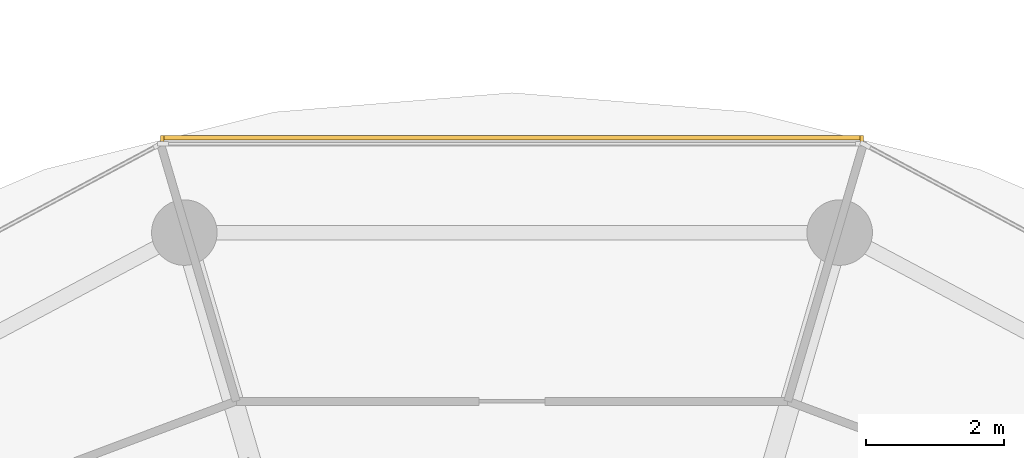
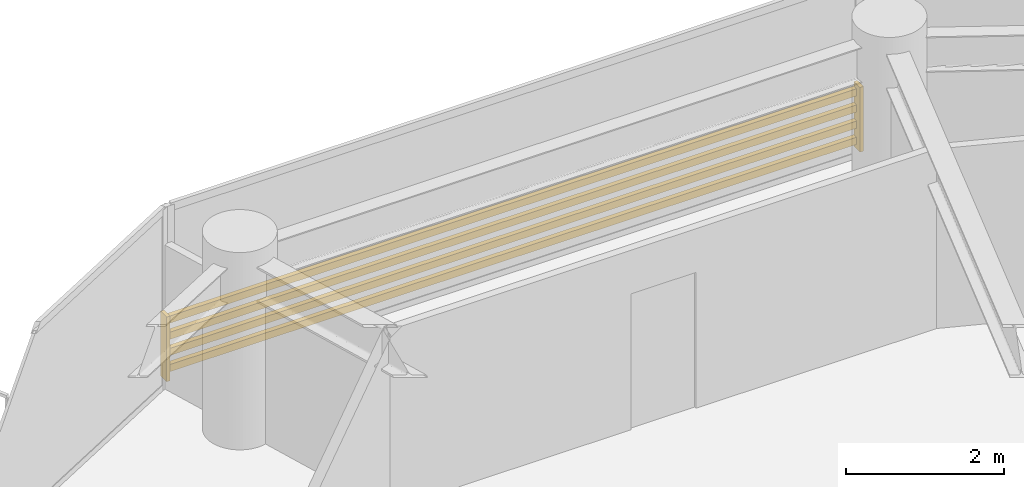
# One storey, part 25 of 26: 1 shading device.
"""IFC4 building model written with IfcOpenShell, lengths in metres."""

from ifc_helpers import new_model, si_unit, direction, frame, origin, origin_2d, place, context, subcontext, project, spatial, rectangle, extrude, source, transform, mapped, material, type_object, type_shapes, element, save


model = new_model("IFC4")

# Units and contexts
model_context = context("Model", 3, precision=1e-05, world=origin(), true_north=direction((0.0, 1.0)))
body_context = subcontext(model_context, "Body", "Model", "MODEL_VIEW")
ifc_project = project(units=[si_unit("LENGTHUNIT", "METRE"), si_unit("AREAUNIT", "SQUARE_METRE"), si_unit("VOLUMEUNIT", "CUBIC_METRE"), si_unit("PLANEANGLEUNIT", "RADIAN"), si_unit("MASSUNIT", "GRAM", prefix="KILO")], contexts=[model_context])

# Site, building, storey
site_placement = place(None, origin())
site = spatial("IfcSite", under=ifc_project, at=site_placement, CompositionType="ELEMENT")
building_placement = place(site_placement, origin())
building = spatial("IfcBuilding", under=site, at=building_placement, Name="Norrkilde Senior Care Towers", CompositionType="ELEMENT")
storey_placement = place(building_placement, frame((0.0, 0.0, 67.35009765625)))
storey = spatial("IfcBuildingStorey", under=building, at=storey_placement, Name="L20", CompositionType="ELEMENT", Elevation=67.35009765625)

# Shading device
ifc_material = material(Name="Architectural Terracotta", Category="masonry")
shading_device_type = type_object("IfcShadingDeviceType", Name="Horizontal Terracotta Baguette Rack", PredefinedType="USERDEFINED", material=ifc_material)
shared_shape = source(origin(), body_context, "Body", "SweptSolid", [
    extrude(rectangle(XDim=0.070068359375, YDim=0.110107421875, at=origin_2d()), frame((0.0, 0.090087890625, 0.125), z_axis=(1.0, 0.0, 0.0), x_axis=(0.0, 1.0, 0.0)), (0.0, 0.0, 1.0), 10.18701171875),
    extrude(rectangle(XDim=0.070068359375, YDim=0.110107421875, at=origin_2d()), frame((0.0, 0.090087890625, 0.375), z_axis=(1.0, 0.0, 0.0), x_axis=(0.0, 1.0, 0.0)), (0.0, 0.0, 1.0), 10.18701171875),
    extrude(rectangle(XDim=0.070068359375, YDim=0.110107421875, at=origin_2d()), frame((0.0, 0.090087890625, 0.625), z_axis=(1.0, 0.0, 0.0), x_axis=(0.0, 1.0, 0.0)), (0.0, 0.0, 1.0), 10.18701171875),
    extrude(rectangle(XDim=0.070068359375, YDim=0.110107421875, at=origin_2d()), frame((0.0, 0.090087890625, 0.875), z_axis=(1.0, 0.0, 0.0), x_axis=(0.0, 1.0, 0.0)), (0.0, 0.0, 1.0), 10.18701171875),
    extrude(rectangle(XDim=0.050048828125, YDim=0.1552734375, at=origin_2d()), frame((0.02490234375, 0.047607421875, 0.0)), (0.0, 0.0, 1.0), 1.0),
    extrude(rectangle(XDim=0.050048828125, YDim=0.1552734375, at=origin_2d()), frame((10.162109375, 0.047607421875, 0.0)), (0.0, 0.0, 1.0), 1.0),
])
type_shapes(shading_device_type, [shared_shape])
shading_device_placement = place(storey_placement, frame((22.906494140625, 17.6572265625, 0.079833984375), z_axis=(0.0, 0.0, 1.0), x_axis=(1.0, 0.0, 0.0)))
element("IfcShadingDevice", 1, at=shading_device_placement, inside=storey, type_object=shading_device_type, Name="L20 Drum E Terracotta Baguette Screen 02", ObjectType="BAGUETTE", PredefinedType="USERDEFINED", context=body_context, shape_type="MappedRepresentation", body=[
    mapped(shared_shape, transform((0.0, 0.0, 0.0), x_axis=(1.0, 0.0, 0.0), y_axis=(0.0, 1.0, 0.0), z_axis=(0.0, 0.0, 1.0), scale=1.0)),
])

save(model, "model.ifc")
